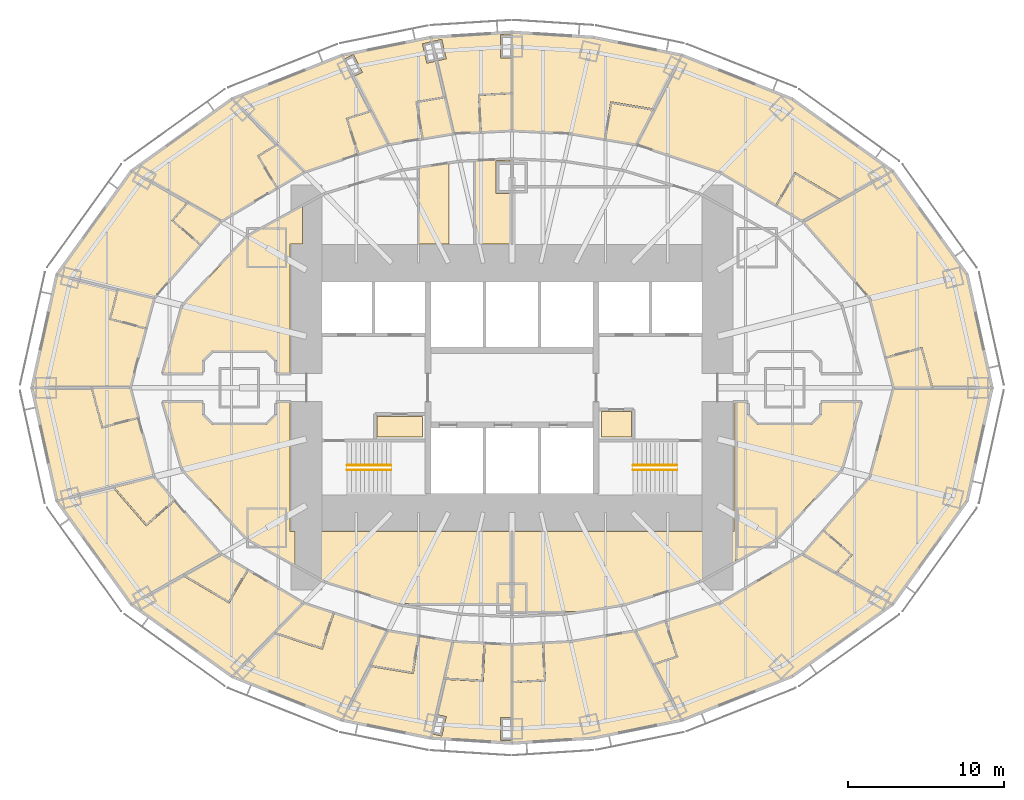
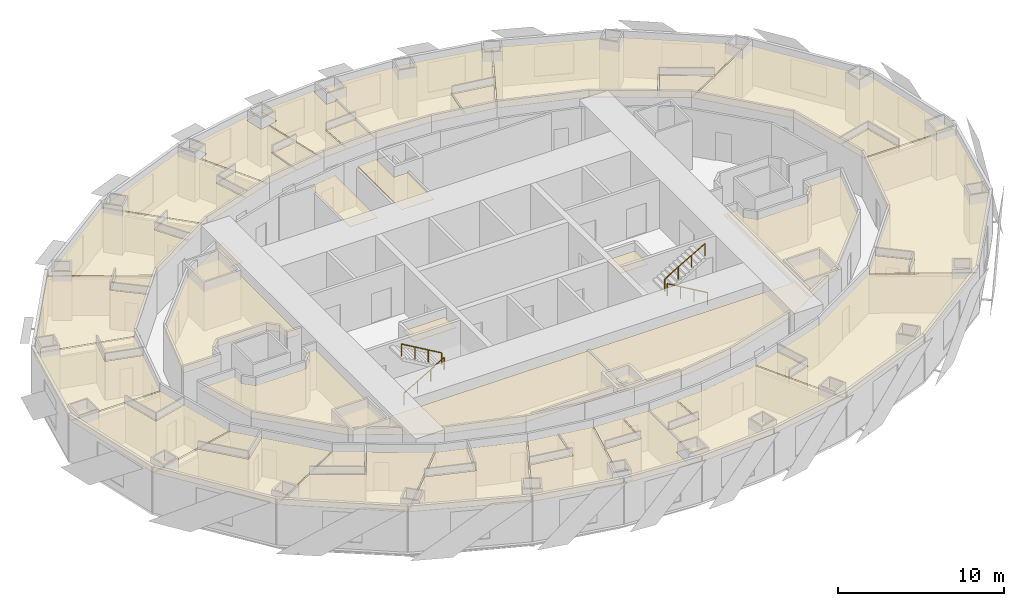
# One storey, part 15 of 15: 45 coverings, 4 railings.
"""IFC4 building model written with IfcOpenShell, lengths in metres."""

from ifc_helpers import new_model, si_unit, direction, frame, origin, origin_2d, place, context, subcontext, project, spatial, polyline, circle, outline, extrude, material, layer, layer_set, type_object, element, save


model = new_model("IFC4")

# Units and contexts
model_context = context("Model", 3, precision=1e-05, world=origin(), true_north=direction((0.0, 1.0)))
body_context = subcontext(model_context, "Body", "Model", "MODEL_VIEW")
ifc_project = project(units=[si_unit("LENGTHUNIT", "METRE"), si_unit("AREAUNIT", "SQUARE_METRE"), si_unit("VOLUMEUNIT", "CUBIC_METRE"), si_unit("PLANEANGLEUNIT", "RADIAN"), si_unit("MASSUNIT", "GRAM", prefix="KILO")], contexts=[model_context])

# Site, building, storey
site_placement = place(None, origin())
site = spatial("IfcSite", under=ifc_project, at=site_placement, CompositionType="ELEMENT")
building_placement = place(site_placement, origin())
building = spatial("IfcBuilding", under=site, at=building_placement, Name="Lantaw Convention Tower", CompositionType="ELEMENT")
storey_placement = place(building_placement, frame((0.0, 0.0, 65.800048828125)))
storey = spatial("IfcBuildingStorey", under=building, at=storey_placement, Name="L14", CompositionType="ELEMENT", Elevation=65.800048828125)

# Railings
ifc_material_1 = material(Name="Stainless steel", Category="steel")
railing_type = type_object("IfcRailingType", Name="Stair handrail", PredefinedType="HANDRAIL", material=ifc_material_1)
railing_1_placement = place(storey_placement, frame((-10.580078125, -5.280029296875, 0.16357421875)))
element("IfcRailing", 1, at=railing_1_placement, inside=storey, type_object=railing_type, Name="Stair handrail S1", PredefinedType="HANDRAIL", context=body_context, shape_type="SweptSolid", body=[
    extrude(circle(Radius=0.02392578125, at=origin_2d()), frame((0.0, 0.0, 0.8759765625), z_axis=(0.863360870873, 0.0, 0.504586966384), x_axis=(0.0, 1.0, 0.0)), (0.0, 0.0, 1.0), 3.2431640625),
    extrude(circle(Radius=0.02099609375, at=origin_2d()), origin(), (0.0, 0.0, 1.0), 0.851806640625),
    extrude(circle(Radius=0.02099609375, at=origin_2d()), frame((0.933349609375, 0.0, 0.54541015625)), (0.0, 0.0, 1.0), 0.851806640625),
    extrude(circle(Radius=0.02099609375, at=origin_2d()), frame((1.86669921875, 0.0, 1.091064453125)), (0.0, 0.0, 1.0), 0.851806640625),
    extrude(circle(Radius=0.02099609375, at=origin_2d()), frame((2.800048828125, 0.0, 1.636474609375)), (0.0, 0.0, 1.0), 0.851806640625),
])
railing_2_placement = place(storey_placement, frame((-7.780029296875, -4.97998046875, 1.963623046875)))
element("IfcRailing", 2, at=railing_2_placement, inside=storey, type_object=railing_type, Name="Stair handrail S1", PredefinedType="HANDRAIL", context=body_context, shape_type="SweptSolid", body=[
    extrude(circle(Radius=0.02392578125, at=origin_2d()), frame((0.0, 0.0, 0.8759765625), z_axis=(-0.863393664356, 0.0, 0.504530851732), x_axis=(0.0, -1.0, 0.0)), (0.0, 0.0, 1.0), 3.2431640625),
    extrude(circle(Radius=0.02099609375, at=origin_2d()), origin(), (0.0, 0.0, 1.0), 0.851806640625),
    extrude(circle(Radius=0.02099609375, at=origin_2d()), frame((-0.933349609375, 0.0, 0.54541015625)), (0.0, 0.0, 1.0), 0.851806640625),
    extrude(circle(Radius=0.02099609375, at=origin_2d()), frame((-1.86669921875, 0.0, 1.0908203125)), (0.0, 0.0, 1.0), 0.851806640625),
    extrude(circle(Radius=0.02099609375, at=origin_2d()), frame((-2.800048828125, 0.0, 1.63623046875)), (0.0, 0.0, 1.0), 0.851806640625),
])
railing_3_placement = place(storey_placement, frame((10.580078125, -5.280029296875, 0.16357421875)))
element("IfcRailing", 3, at=railing_3_placement, inside=storey, type_object=railing_type, Name="Stair handrail S2", PredefinedType="HANDRAIL", context=body_context, shape_type="SweptSolid", body=[
    extrude(circle(Radius=0.02392578125, at=origin_2d()), frame((0.0, 0.0, 0.8759765625), z_axis=(-0.863360870873, 0.0, 0.504586966384), x_axis=(0.0, -1.0, 0.0)), (0.0, 0.0, 1.0), 3.2431640625),
    extrude(circle(Radius=0.02099609375, at=origin_2d()), origin(), (0.0, 0.0, 1.0), 0.851806640625),
    extrude(circle(Radius=0.02099609375, at=origin_2d()), frame((-0.933349609375, 0.0, 0.54541015625)), (0.0, 0.0, 1.0), 0.851806640625),
    extrude(circle(Radius=0.02099609375, at=origin_2d()), frame((-1.86669921875, 0.0, 1.091064453125)), (0.0, 0.0, 1.0), 0.851806640625),
    extrude(circle(Radius=0.02099609375, at=origin_2d()), frame((-2.800048828125, 0.0, 1.636474609375)), (0.0, 0.0, 1.0), 0.851806640625),
])
railing_4_placement = place(storey_placement, frame((7.780029296875, -4.97998046875, 1.963623046875)))
element("IfcRailing", 4, at=railing_4_placement, inside=storey, type_object=railing_type, Name="Stair handrail S2", PredefinedType="HANDRAIL", context=body_context, shape_type="SweptSolid", body=[
    extrude(circle(Radius=0.02392578125, at=origin_2d()), frame((0.0, 0.0, 0.8759765625), z_axis=(0.863393664356, 0.0, 0.504530851732), x_axis=(0.0, 1.0, 0.0)), (0.0, 0.0, 1.0), 3.2431640625),
    extrude(circle(Radius=0.02099609375, at=origin_2d()), origin(), (0.0, 0.0, 1.0), 0.851806640625),
    extrude(circle(Radius=0.02099609375, at=origin_2d()), frame((0.933349609375, 0.0, 0.54541015625)), (0.0, 0.0, 1.0), 0.851806640625),
    extrude(circle(Radius=0.02099609375, at=origin_2d()), frame((1.86669921875, 0.0, 1.0908203125)), (0.0, 0.0, 1.0), 0.851806640625),
    extrude(circle(Radius=0.02099609375, at=origin_2d()), frame((2.800048828125, 0.0, 1.63623046875)), (0.0, 0.0, 1.0), 0.851806640625),
])

# Coverings
ifc_material_2 = material(Name="Gypsum board on steel suspension grid", Category="steel")
ifc_layer = layer(ifc_material_2, 0.02001953125)
ifc_layer_set = layer_set([ifc_layer], Name="Suspended ceiling")
covering_type = type_object("IfcCoveringType", Name="Suspended ceiling", PredefinedType="CEILING", material=ifc_layer_set)
covering_1_placement = place(storey_placement, frame((0.0, 0.0, 2.849853515625)))
element("IfcCovering", 5, at=covering_1_placement, inside=storey, type_object=covering_type, Name="IT and comms room ceiling", PredefinedType="CEILING", context=body_context, shape_type="SweptSolid", body=[
    extrude(outline(polyline([(-8.659912109375, -3.159912109375), (-5.739990234375, -3.159912109375), (-5.739990234375, -1.840087890625), (-8.659912109375, -1.840087890625), (-8.659912109375, -3.159912109375)])), origin(), (0.0, 0.0, 1.0), 0.02001953125),
])
covering_2_placement = place(storey_placement, frame((0.0, 0.0, 2.849853515625)))
element("IfcCovering", 6, at=covering_2_placement, inside=storey, type_object=covering_type, Name="Staff WC ceiling", PredefinedType="CEILING", context=body_context, shape_type="SweptSolid", body=[
    extrude(outline(polyline([(5.739990234375, -3.159912109375), (7.659912109375, -3.159912109375), (7.659912109375, -1.5400390625), (5.739990234375, -1.5400390625), (5.739990234375, -3.159912109375)])), origin(), (0.0, 0.0, 1.0), 0.02001953125),
])
covering_3_placement = place(storey_placement, frame((0.0, 0.0, 2.849853515625)))
element("IfcCovering", 7, at=covering_3_placement, inside=storey, type_object=covering_type, Name="Accessible WC ceiling", PredefinedType="CEILING", context=body_context, shape_type="SweptSolid", body=[
    extrude(outline(polyline([(-0.114990234375, 14.5400390625), (-0.114990234375, 14.654296875), (-2.360107421875, 14.54638671875), (-2.360107421875, 9.239990234375), (-0.114990234375, 9.239990234375), (-0.114990234375, 12.4599609375), (-1.0400390625, 12.4599609375), (-1.0400390625, 14.5400390625), (-0.114990234375, 14.5400390625)])), origin(), (0.0, 0.0, 1.0), 0.02001953125),
])
covering_4_placement = place(storey_placement, frame((0.0, 0.0, 2.849853515625)))
element("IfcCovering", 8, at=covering_4_placement, inside=storey, type_object=covering_type, Name="Housekeeping pantry ceiling", PredefinedType="CEILING", context=body_context, shape_type="SweptSolid", body=[
    extrude(outline(polyline([(-4.0400390625, 14.392578125), (-5.9599609375, 14.096923828125), (-5.9599609375, 9.239990234375), (-4.0400390625, 9.239990234375), (-4.0400390625, 14.392578125)])), origin(), (0.0, 0.0, 1.0), 0.02001953125),
])
covering_5_placement = place(storey_placement, frame((0.0, 0.0, 2.849853515625)))
element("IfcCovering", 9, at=covering_5_placement, inside=storey, type_object=covering_type, Name="Housekeeping room ceiling", PredefinedType="CEILING", context=body_context, shape_type="SweptSolid", body=[
    extrude(outline(polyline([(-22.388671875, 0.93994140625), (-19.864990234375, 0.93994140625), (-19.864990234375, 1.7412109375), (-19.2412109375, 2.364990234375), (-15.7587890625, 2.364990234375), (-15.135009765625, 1.7412109375), (-15.135009765625, 0.93994140625), (-14.239990234375, 0.93994140625), (-14.239990234375, 9.239990234375), (-13.43994140625, 9.239990234375), (-13.43994140625, 11.64697265625), (-16.99609375, 9.694091796875), (-21.148193359375, 5.261474609375), (-22.388671875, 0.93994140625)])), origin(), (0.0, 0.0, 1.0), 0.02001953125),
])
covering_6_placement = place(storey_placement, frame((0.0, 0.0, 2.849853515625)))
element("IfcCovering", 10, at=covering_6_placement, inside=storey, type_object=covering_type, Name="Staff locker room ceiling", PredefinedType="CEILING", context=body_context, shape_type="SweptSolid", body=[
    extrude(outline(polyline([(-12.020263671875, -12.426513671875), (-7.303466796875, -13.860107421875), (-0.0400390625, -13.860107421875), (-0.0400390625, -9.239990234375), (-13.860107421875, -9.239990234375), (-13.860107421875, -11.416259765625), (-12.020263671875, -12.426513671875)])), origin(), (0.0, 0.0, 1.0), 0.02001953125),
])
covering_7_placement = place(storey_placement, frame((0.0, 0.0, 2.849853515625)))
element("IfcCovering", 11, at=covering_7_placement, inside=storey, type_object=covering_type, Name="Staff room ceiling", PredefinedType="CEILING", context=body_context, shape_type="SweptSolid", body=[
    extrude(outline(polyline([(-22.388671875, -0.93994140625), (-21.148193359375, -5.261474609375), (-16.99609375, -9.694091796875), (-13.93994140625, -11.372314453125), (-13.93994140625, -9.239990234375), (-14.239990234375, -9.239990234375), (-14.239990234375, -0.93994140625), (-15.135009765625, -0.93994140625), (-15.135009765625, -1.7412109375), (-15.7587890625, -2.364990234375), (-19.2412109375, -2.364990234375), (-19.864990234375, -1.7412109375), (-19.864990234375, -0.93994140625), (-22.388671875, -0.93994140625)])), origin(), (0.0, 0.0, 1.0), 0.02001953125),
])
covering_8_placement = place(storey_placement, frame((0.0, 0.0, 2.849853515625)))
element("IfcCovering", 12, at=covering_8_placement, inside=storey, type_object=covering_type, Name="Guest ice and vending room ceiling", PredefinedType="CEILING", context=body_context, shape_type="SweptSolid", body=[
    extrude(outline(polyline([(7.10400390625, -13.920654296875), (12.020263671875, -12.426513671875), (14.360107421875, -11.1416015625), (14.360107421875, -0.93994140625), (14.239990234375, -0.93994140625), (14.239990234375, -9.239990234375), (0.0400390625, -9.239990234375), (0.0400390625, -14.360107421875), (4.251953125, -14.360107421875), (7.10400390625, -13.920654296875)])), origin(), (0.0, 0.0, 1.0), 0.02001953125),
])
covering_9_placement = place(storey_placement, frame((0.0, 0.0, 2.849853515625)))
element("IfcCovering", 13, at=covering_9_placement, inside=storey, type_object=covering_type, Name="Room service pantry ceiling", PredefinedType="CEILING", context=body_context, shape_type="SweptSolid", body=[
    extrude(outline(polyline([(22.388671875, -0.93994140625), (19.864990234375, -0.93994140625), (19.864990234375, -1.7412109375), (19.2412109375, -2.364990234375), (15.7587890625, -2.364990234375), (15.135009765625, -1.7412109375), (15.135009765625, -0.93994140625), (14.43994140625, -0.93994140625), (14.43994140625, -11.097900390625), (16.99609375, -9.694091796875), (21.148193359375, -5.261474609375), (22.388671875, -0.93994140625)])), origin(), (0.0, 0.0, 1.0), 0.02001953125),
])
covering_10_placement = place(storey_placement, frame((0.0, 0.0, 2.849853515625)))
element("IfcCovering", 14, at=covering_10_placement, inside=storey, type_object=covering_type, Name="Junior suite bathroom ceiling", PredefinedType="CEILING", context=body_context, shape_type="SweptSolid", body=[
    extrude(outline(polyline([(24.53076171875, 0.0400390625), (26.931396484375, 0.0400390625), (26.27685546875, 2.500732421875), (24.03466796875, 1.904296875), (24.53076171875, 0.0400390625)])), origin(), (0.0, 0.0, 1.0), 0.02001953125),
])
covering_11_placement = place(storey_placement, frame((0.0, 0.0, 2.849853515625)))
element("IfcCovering", 15, at=covering_11_placement, inside=storey, type_object=covering_type, Name="Junior suite ceiling", PredefinedType="CEILING", context=body_context, shape_type="SweptSolid", body=[
    extrude(outline(polyline([(23.01220703125, 5.747802734375), (24.01416015625, 1.981689453125), (26.33349609375, 2.5986328125), (27.01416015625, 0.0400390625), (30.77099609375, 0.0400390625), (29.184814453125, 7.237060546875), (24.423095703125, 13.8564453125), (18.743896484375, 10.664306640625), (23.01220703125, 5.747802734375)])), origin(), (0.0, 0.0, 1.0), 0.02001953125),
])
covering_12_placement = place(storey_placement, frame((0.0, 0.0, 2.849853515625)))
element("IfcCovering", 16, at=covering_12_placement, inside=storey, type_object=covering_type, Name="Junior suite bathroom ceiling", PredefinedType="CEILING", context=body_context, shape_type="SweptSolid", body=[
    extrude(outline(polyline([(18.681884765625, 10.721435546875), (20.998291015625, 12.045166015625), (18.19921875, 13.704833984375), (17.015869140625, 11.709228515625), (18.681884765625, 10.721435546875)])), origin(), (0.0, 0.0, 1.0), 0.02001953125),
])
covering_13_placement = place(storey_placement, frame((0.0, 0.0, 2.849853515625)))
element("IfcCovering", 17, at=covering_13_placement, inside=storey, type_object=covering_type, Name="Junior suite ceiling", PredefinedType="CEILING", context=body_context, shape_type="SweptSolid", body=[
    extrude(outline(polyline([(8.009033203125, 15.630126953125), (13.3740234375, 13.86865234375), (16.936767578125, 11.756103515625), (18.1669921875, 13.830810546875), (21.10986328125, 12.0859375), (24.3603515625, 13.912841796875), (17.951171875, 18.50634765625), (10.930908203125, 21.294921875), (8.009033203125, 15.630126953125)])), origin(), (0.0, 0.0, 1.0), 0.02001953125),
])
covering_14_placement = place(storey_placement, frame((0.0, 0.0, 2.849853515625)))
element("IfcCovering", 18, at=covering_14_placement, inside=storey, type_object=covering_type, Name="Junior suite bathroom ceiling", PredefinedType="CEILING", context=body_context, shape_type="SweptSolid", body=[
    extrude(outline(polyline([(7.9296875, 15.65087890625), (9.034423828125, 17.819091796875), (6.40625, 18.256591796875), (6.025146484375, 15.968017578125), (7.9296875, 15.65087890625)])), origin(), (0.0, 0.0, 1.0), 0.02001953125),
])
covering_15_placement = place(storey_placement, frame((0.0, 0.0, 2.849853515625)))
element("IfcCovering", 19, at=covering_15_placement, inside=storey, type_object=covering_type, Name="Junior suite ceiling", PredefinedType="CEILING", context=body_context, shape_type="SweptSolid", body=[
    extrude(outline(polyline([(0.0400390625, 16.5380859375), (3.7685546875, 16.343994140625), (5.9345703125, 15.983154296875), (6.33056640625, 18.362548828125), (9.09130859375, 17.90283203125), (10.85205078125, 21.31689453125), (5.20556640625, 22.456298828125), (0.0400390625, 22.781982421875), (0.0400390625, 16.5380859375)])), origin(), (0.0, 0.0, 1.0), 0.02001953125),
])
covering_16_placement = place(storey_placement, frame((0.0, 0.0, 2.849853515625)))
element("IfcCovering", 20, at=covering_16_placement, inside=storey, type_object=covering_type, Name="Guest bathroom ceiling", PredefinedType="CEILING", context=body_context, shape_type="SweptSolid", body=[
    extrude(outline(polyline([(-0.0400390625, 16.5380859375), (-0.0400390625, 18.861083984375), (-2.080078125, 18.7548828125), (-1.95947265625, 16.43798828125), (-0.0400390625, 16.5380859375)])), origin(), (0.0, 0.0, 1.0), 0.02001953125),
])
covering_17_placement = place(storey_placement, frame((0.0, 0.0, 2.849853515625)))
element("IfcCovering", 21, at=covering_17_placement, inside=storey, type_object=covering_type, Name="Guest room ceiling", PredefinedType="CEILING", context=body_context, shape_type="SweptSolid", body=[
    extrude(outline(polyline([(-4.815673828125, 20.98046875), (-3.732666015625, 16.345703125), (-2.039306640625, 16.433837890625), (-2.1640625, 18.83056640625), (-0.0400390625, 18.941162109375), (-0.0400390625, 21.159912109375), (-0.739990234375, 21.159912109375), (-0.739990234375, 22.639892578125), (-0.0400390625, 22.639892578125), (-0.0400390625, 22.781982421875), (-5.1611328125, 22.458984375), (-5.10693359375, 22.22705078125), (-4.506591796875, 22.365478515625), (-4.21875, 21.118408203125), (-4.815673828125, 20.98046875)])), origin(), (0.0, 0.0, 1.0), 0.02001953125),
])
covering_18_placement = place(storey_placement, frame((0.0, 0.0, 2.849853515625)))
element("IfcCovering", 22, at=covering_18_placement, inside=storey, type_object=covering_type, Name="Guest bathroom ceiling", PredefinedType="CEILING", context=body_context, shape_type="SweptSolid", body=[
    extrude(outline(polyline([(-3.812744140625, 16.336669921875), (-4.33544921875, 18.6015625), (-6.085205078125, 18.31005859375), (-5.7041015625, 16.021484375), (-3.812744140625, 16.336669921875)])), origin(), (0.0, 0.0, 1.0), 0.02001953125),
])
covering_19_placement = place(storey_placement, frame((0.0, 0.0, 2.849853515625)))
element("IfcCovering", 23, at=covering_19_placement, inside=storey, type_object=covering_type, Name="Guest room ceiling", PredefinedType="CEILING", context=body_context, shape_type="SweptSolid", body=[
    extrude(outline(polyline([(-10.157958984375, 19.970947265625), (-7.929931640625, 15.65087890625), (-5.782958984375, 16.008544921875), (-6.17724609375, 18.3759765625), (-4.35986328125, 18.678466796875), (-4.8935546875, 20.962646484375), (-5.4658203125, 20.83056640625), (-5.75390625, 22.07763671875), (-5.184814453125, 22.208984375), (-5.240966796875, 22.448974609375), (-10.85205078125, 21.31689453125), (-10.74462890625, 21.1083984375), (-10.182861328125, 21.394775390625), (-9.601806640625, 20.254150390625), (-10.157958984375, 19.970947265625)])), origin(), (0.0, 0.0, 1.0), 0.02001953125),
])
covering_20_placement = place(storey_placement, frame((0.0, 0.0, 2.849853515625)))
element("IfcCovering", 24, at=covering_20_placement, inside=storey, type_object=covering_type, Name="Guest bathroom ceiling", PredefinedType="CEILING", context=body_context, shape_type="SweptSolid", body=[
    extrude(outline(polyline([(-8.0087890625, 15.630126953125), (-9.07470703125, 17.721923828125), (-10.55029296875, 17.237548828125), (-9.82666015625, 15.033203125), (-8.0087890625, 15.630126953125)])), origin(), (0.0, 0.0, 1.0), 0.02001953125),
])
covering_21_placement = place(storey_placement, frame((0.0, 0.0, 2.849853515625)))
element("IfcCovering", 25, at=covering_21_placement, inside=storey, type_object=covering_type, Name="Guest room ceiling", PredefinedType="CEILING", context=body_context, shape_type="SweptSolid", body=[
    extrude(outline(polyline([(-13.34619140625, 13.877685546875), (-9.902587890625, 15.00830078125), (-10.6513671875, 17.28857421875), (-9.123291015625, 17.790283203125), (-10.930908203125, 21.294921875), (-17.899658203125, 18.52685546875), (-13.34619140625, 13.877685546875)])), origin(), (0.0, 0.0, 1.0), 0.02001953125),
])
covering_22_placement = place(storey_placement, frame((0.0, 0.0, 2.849853515625)))
element("IfcCovering", 26, at=covering_22_placement, inside=storey, type_object=covering_type, Name="Guest bathroom ceiling", PredefinedType="CEILING", context=body_context, shape_type="SweptSolid", body=[
    extrude(outline(polyline([(-13.42138671875, 13.840576171875), (-15.07763671875, 15.5556640625), (-16.2470703125, 14.8623046875), (-15.063720703125, 12.86669921875), (-13.42138671875, 13.840576171875)])), origin(), (0.0, 0.0, 1.0), 0.02001953125),
])
covering_23_placement = place(storey_placement, frame((0.0, 0.0, 2.849853515625)))
element("IfcCovering", 27, at=covering_23_placement, inside=storey, type_object=covering_type, Name="Guest room ceiling", PredefinedType="CEILING", context=body_context, shape_type="SweptSolid", body=[
    extrude(outline(polyline([(-18.681884765625, 10.721435546875), (-15.132568359375, 12.825927734375), (-16.356689453125, 14.890380859375), (-15.150390625, 15.60546875), (-17.97509765625, 18.4892578125), (-24.3603515625, 13.912841796875), (-18.681884765625, 10.721435546875)])), origin(), (0.0, 0.0, 1.0), 0.02001953125),
])
covering_24_placement = place(storey_placement, frame((0.0, 0.0, 2.849853515625)))
element("IfcCovering", 28, at=covering_24_placement, inside=storey, type_object=covering_type, Name="Guest bathroom ceiling", PredefinedType="CEILING", context=body_context, shape_type="SweptSolid", body=[
    extrude(outline(polyline([(-18.74365234375, 10.66455078125), (-20.797119140625, 11.838134765625), (-21.74853515625, 10.7421875), (-19.99658203125, 9.221435546875), (-18.74365234375, 10.66455078125)])), origin(), (0.0, 0.0, 1.0), 0.02001953125),
])
covering_25_placement = place(storey_placement, frame((0.0, 0.0, 2.849853515625)))
element("IfcCovering", 29, at=covering_25_placement, inside=storey, type_object=covering_type, Name="Guest room ceiling", PredefinedType="CEILING", context=body_context, shape_type="SweptSolid", body=[
    extrude(outline(polyline([(-22.990234375, 5.773193359375), (-20.049072265625, 9.160888671875), (-21.861328125, 10.734375), (-20.8798828125, 11.86474609375), (-24.423095703125, 13.8564453125), (-29.15478515625, 7.2783203125), (-22.990234375, 5.773193359375)])), origin(), (0.0, 0.0, 1.0), 0.02001953125),
])
covering_26_placement = place(storey_placement, frame((0.0, 0.0, 2.849853515625)))
element("IfcCovering", 30, at=covering_26_placement, inside=storey, type_object=covering_type, Name="Guest bathroom ceiling", PredefinedType="CEILING", context=body_context, shape_type="SweptSolid", body=[
    extrude(outline(polyline([(-23.025146484375, 5.699462890625), (-25.2763671875, 6.260986328125), (-25.760498046875, 4.441162109375), (-23.5185546875, 3.8447265625), (-23.025146484375, 5.699462890625)])), origin(), (0.0, 0.0, 1.0), 0.02001953125),
])
covering_27_placement = place(storey_placement, frame((0.0, 0.0, 2.849853515625)))
element("IfcCovering", 31, at=covering_27_placement, inside=storey, type_object=covering_type, Name="Guest room ceiling", PredefinedType="CEILING", context=body_context, shape_type="SweptSolid", body=[
    extrude(outline(polyline([(-24.53076171875, 0.0400390625), (-23.5390625, 3.767333984375), (-25.8583984375, 4.384521484375), (-25.357177734375, 6.268798828125), (-29.191650390625, 7.205078125), (-30.77099609375, 0.0400390625), (-24.53076171875, 0.0400390625)])), origin(), (0.0, 0.0, 1.0), 0.02001953125),
])
covering_28_placement = place(storey_placement, frame((0.0, 0.0, 2.849853515625)))
element("IfcCovering", 32, at=covering_28_placement, inside=storey, type_object=covering_type, Name="Guest bathroom ceiling", PredefinedType="CEILING", context=body_context, shape_type="SweptSolid", body=[
    extrude(outline(polyline([(-24.53076171875, -0.0400390625), (-26.931396484375, -0.0400390625), (-26.27685546875, -2.500732421875), (-24.03466796875, -1.904296875), (-24.53076171875, -0.0400390625)])), origin(), (0.0, 0.0, 1.0), 0.02001953125),
])
covering_29_placement = place(storey_placement, frame((0.0, 0.0, 2.849853515625)))
element("IfcCovering", 33, at=covering_29_placement, inside=storey, type_object=covering_type, Name="Guest room ceiling", PredefinedType="CEILING", context=body_context, shape_type="SweptSolid", body=[
    extrude(outline(polyline([(-24.01416015625, -1.981689453125), (-26.33349609375, -2.5986328125), (-27.01416015625, -0.0400390625), (-30.77099609375, -0.0400390625), (-29.191650390625, -7.205078125), (-23.025146484375, -5.699462890625), (-24.01416015625, -1.981689453125)])), origin(), (0.0, 0.0, 1.0), 0.02001953125),
])
covering_30_placement = place(storey_placement, frame((0.0, 0.0, 2.849853515625)))
element("IfcCovering", 34, at=covering_30_placement, inside=storey, type_object=covering_type, Name="Guest bathroom ceiling", PredefinedType="CEILING", context=body_context, shape_type="SweptSolid", body=[
    extrude(outline(polyline([(-22.990234375, -5.773193359375), (-25.515869140625, -6.403076171875), (-23.47314453125, -8.755859375), (-21.72119140625, -7.23486328125), (-22.990234375, -5.773193359375)])), origin(), (0.0, 0.0, 1.0), 0.02001953125),
])
covering_31_placement = place(storey_placement, frame((0.0, 0.0, 2.849853515625)))
element("IfcCovering", 35, at=covering_31_placement, inside=storey, type_object=covering_type, Name="Guest room ceiling", PredefinedType="CEILING", context=body_context, shape_type="SweptSolid", body=[
    extrude(outline(polyline([(-25.625732421875, -6.416748046875), (-29.15478515625, -7.2783203125), (-24.423095703125, -13.8564453125), (-18.743896484375, -10.664306640625), (-21.660888671875, -7.30419921875), (-23.482421875, -8.885498046875), (-25.625732421875, -6.416748046875)])), origin(), (0.0, 0.0, 1.0), 0.02001953125),
])
covering_32_placement = place(storey_placement, frame((0.0, 0.0, 2.849853515625)))
element("IfcCovering", 36, at=covering_32_placement, inside=storey, type_object=covering_type, Name="Guest bathroom ceiling", PredefinedType="CEILING", context=body_context, shape_type="SweptSolid", body=[
    extrude(outline(polyline([(-18.681884765625, -10.721435546875), (-20.998291015625, -12.045166015625), (-18.19921875, -13.704833984375), (-17.015869140625, -11.709228515625), (-18.681884765625, -10.721435546875)])), origin(), (0.0, 0.0, 1.0), 0.02001953125),
])
covering_33_placement = place(storey_placement, frame((0.0, 0.0, 2.849853515625)))
element("IfcCovering", 37, at=covering_33_placement, inside=storey, type_object=covering_type, Name="Guest room ceiling", PredefinedType="CEILING", context=body_context, shape_type="SweptSolid", body=[
    extrude(outline(polyline([(-21.10986328125, -12.0859375), (-24.3603515625, -13.912841796875), (-17.97509765625, -18.4892578125), (-13.421630859375, -13.84033203125), (-16.936767578125, -11.756103515625), (-18.1669921875, -13.830810546875), (-21.10986328125, -12.0859375)])), origin(), (0.0, 0.0, 1.0), 0.02001953125),
])
covering_34_placement = place(storey_placement, frame((0.0, 0.0, 2.849853515625)))
element("IfcCovering", 38, at=covering_34_placement, inside=storey, type_object=covering_type, Name="Guest bathroom ceiling", PredefinedType="CEILING", context=body_context, shape_type="SweptSolid", body=[
    extrude(outline(polyline([(-13.34619140625, -13.8779296875), (-15.136474609375, -15.73193359375), (-12.2314453125, -16.685546875), (-11.5078125, -14.4814453125), (-13.34619140625, -13.8779296875)])), origin(), (0.0, 0.0, 1.0), 0.02001953125),
])
covering_35_placement = place(storey_placement, frame((0.0, 0.0, 2.849853515625)))
element("IfcCovering", 39, at=covering_35_placement, inside=storey, type_object=covering_type, Name="Guest room ceiling", PredefinedType="CEILING", context=body_context, shape_type="SweptSolid", body=[
    extrude(outline(polyline([(-15.227783203125, -15.798828125), (-17.899658203125, -18.52685546875), (-10.930908203125, -21.294921875), (-8.009033203125, -15.630126953125), (-11.42041015625, -14.510009765625), (-12.172607421875, -16.8017578125), (-15.227783203125, -15.798828125)])), origin(), (0.0, 0.0, 1.0), 0.02001953125),
])
covering_36_placement = place(storey_placement, frame((0.0, 0.0, 2.849853515625)))
element("IfcCovering", 40, at=covering_36_placement, inside=storey, type_object=covering_type, Name="Guest bathroom ceiling", PredefinedType="CEILING", context=body_context, shape_type="SweptSolid", body=[
    extrude(outline(polyline([(-7.9296875, -15.65087890625), (-9.034423828125, -17.819091796875), (-6.40625, -18.256591796875), (-6.025146484375, -15.968017578125), (-7.9296875, -15.65087890625)])), origin(), (0.0, 0.0, 1.0), 0.02001953125),
])
covering_37_placement = place(storey_placement, frame((0.0, 0.0, 2.849853515625)))
element("IfcCovering", 41, at=covering_37_placement, inside=storey, type_object=covering_type, Name="Guest room ceiling", PredefinedType="CEILING", context=body_context, shape_type="SweptSolid", body=[
    extrude(outline(polyline([(-9.09130859375, -17.90283203125), (-10.85205078125, -21.31689453125), (-5.240966796875, -22.448974609375), (-3.812744140625, -16.336669921875), (-5.9345703125, -15.983154296875), (-6.33056640625, -18.362548828125), (-9.09130859375, -17.90283203125)])), origin(), (0.0, 0.0, 1.0), 0.02001953125),
])
covering_38_placement = place(storey_placement, frame((0.0, 0.0, 2.849853515625)))
element("IfcCovering", 42, at=covering_38_placement, inside=storey, type_object=covering_type, Name="Guest bathroom ceiling", PredefinedType="CEILING", context=body_context, shape_type="SweptSolid", body=[
    extrude(outline(polyline([(-3.732666015625, -16.345703125), (-4.2626953125, -18.641357421875), (-1.929443359375, -18.7626953125), (-1.808837890625, -16.44580078125), (-3.732666015625, -16.345703125)])), origin(), (0.0, 0.0, 1.0), 0.02001953125),
])
covering_39_placement = place(storey_placement, frame((0.0, 0.0, 2.849853515625)))
element("IfcCovering", 43, at=covering_39_placement, inside=storey, type_object=covering_type, Name="Guest room ceiling", PredefinedType="CEILING", context=body_context, shape_type="SweptSolid", body=[
    extrude(outline(polyline([(-0.0400390625, -16.5380859375), (-1.717041015625, -16.45068359375), (-1.84228515625, -18.859375), (-4.290283203125, -18.73193359375), (-4.815673828125, -20.98046875), (-4.21875, -21.118408203125), (-4.506591796875, -22.365478515625), (-5.10693359375, -22.22705078125), (-5.1611328125, -22.458984375), (-0.0400390625, -22.781982421875), (-0.0400390625, -22.639892578125), (-0.739990234375, -22.639892578125), (-0.739990234375, -21.159912109375), (-0.0400390625, -21.159912109375), (-0.0400390625, -16.5380859375)])), origin(), (0.0, 0.0, 1.0), 0.02001953125),
])
covering_40_placement = place(storey_placement, frame((0.0, 0.0, 2.849853515625)))
element("IfcCovering", 44, at=covering_40_placement, inside=storey, type_object=covering_type, Name="Junior suite bathroom ceiling", PredefinedType="CEILING", context=body_context, shape_type="SweptSolid", body=[
    extrude(outline(polyline([(0.0400390625, -16.5380859375), (0.0400390625, -18.861083984375), (2.080078125, -18.7548828125), (1.95947265625, -16.43798828125), (0.0400390625, -16.5380859375)])), origin(), (0.0, 0.0, 1.0), 0.02001953125),
])
covering_41_placement = place(storey_placement, frame((0.0, 0.0, 2.849853515625)))
element("IfcCovering", 45, at=covering_41_placement, inside=storey, type_object=covering_type, Name="Junior suite ceiling", PredefinedType="CEILING", context=body_context, shape_type="SweptSolid", body=[
    extrude(outline(polyline([(3.7685546875, -16.343994140625), (2.039306640625, -16.433837890625), (2.1640625, -18.83056640625), (0.0400390625, -18.941162109375), (0.0400390625, -22.781982421875), (5.20556640625, -22.456298828125), (10.85205078125, -21.31689453125), (7.929931640625, -15.65087890625), (3.7685546875, -16.343994140625)])), origin(), (0.0, 0.0, 1.0), 0.02001953125),
])
covering_42_placement = place(storey_placement, frame((0.0, 0.0, 2.849853515625)))
element("IfcCovering", 46, at=covering_42_placement, inside=storey, type_object=covering_type, Name="Junior suite bathroom ceiling", PredefinedType="CEILING", context=body_context, shape_type="SweptSolid", body=[
    extrude(outline(polyline([(8.0087890625, -15.630126953125), (9.07470703125, -17.721923828125), (10.55029296875, -17.237548828125), (9.82666015625, -15.033203125), (8.0087890625, -15.630126953125)])), origin(), (0.0, 0.0, 1.0), 0.02001953125),
])
covering_43_placement = place(storey_placement, frame((0.0, 0.0, 2.849853515625)))
element("IfcCovering", 47, at=covering_43_placement, inside=storey, type_object=covering_type, Name="Junior suite ceiling", PredefinedType="CEILING", context=body_context, shape_type="SweptSolid", body=[
    extrude(outline(polyline([(13.3740234375, -13.86865234375), (9.902587890625, -15.00830078125), (10.6513671875, -17.28857421875), (9.123291015625, -17.790283203125), (10.930908203125, -21.294921875), (17.951171875, -18.50634765625), (24.3603515625, -13.912841796875), (18.681884765625, -10.721435546875), (13.3740234375, -13.86865234375)])), origin(), (0.0, 0.0, 1.0), 0.02001953125),
])
covering_44_placement = place(storey_placement, frame((0.0, 0.0, 2.849853515625)))
element("IfcCovering", 48, at=covering_44_placement, inside=storey, type_object=covering_type, Name="Junior suite bathroom ceiling", PredefinedType="CEILING", context=body_context, shape_type="SweptSolid", body=[
    extrude(outline(polyline([(18.74365234375, -10.66455078125), (20.797119140625, -11.838134765625), (21.74853515625, -10.7421875), (19.99658203125, -9.221435546875), (18.74365234375, -10.66455078125)])), origin(), (0.0, 0.0, 1.0), 0.02001953125),
])
covering_45_placement = place(storey_placement, frame((0.0, 0.0, 2.849853515625)))
element("IfcCovering", 49, at=covering_45_placement, inside=storey, type_object=covering_type, Name="Junior suite ceiling", PredefinedType="CEILING", context=body_context, shape_type="SweptSolid", body=[
    extrude(outline(polyline([(23.01220703125, -5.747802734375), (20.049072265625, -9.160888671875), (21.861328125, -10.734375), (20.8798828125, -11.86474609375), (24.423095703125, -13.8564453125), (29.184814453125, -7.237060546875), (30.77099609375, -0.0400390625), (24.53076171875, -0.0400390625), (23.01220703125, -5.747802734375)])), origin(), (0.0, 0.0, 1.0), 0.02001953125),
])

save(model, "model.ifc")
